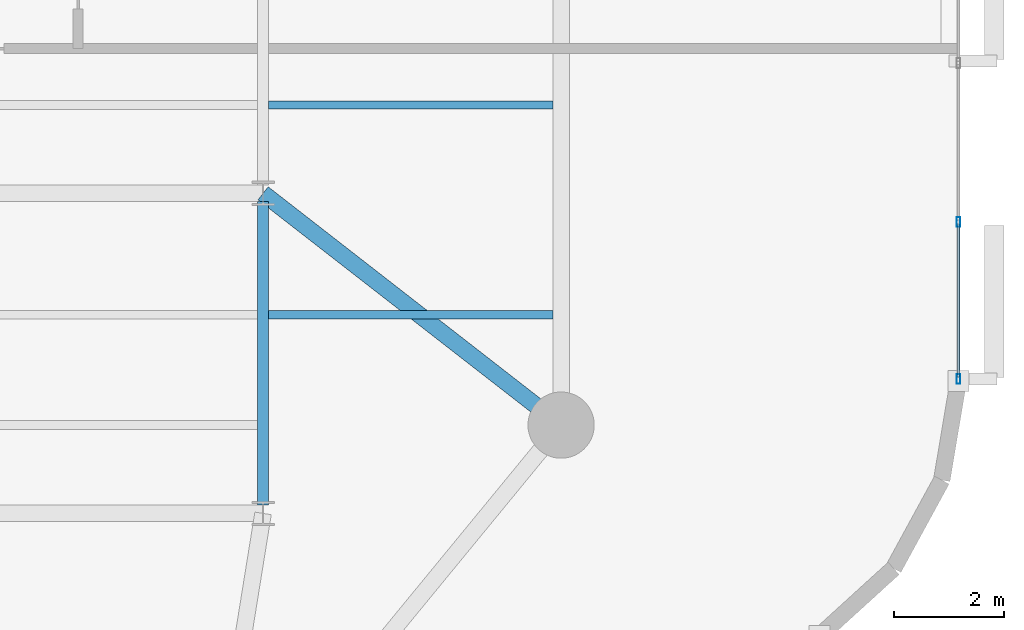
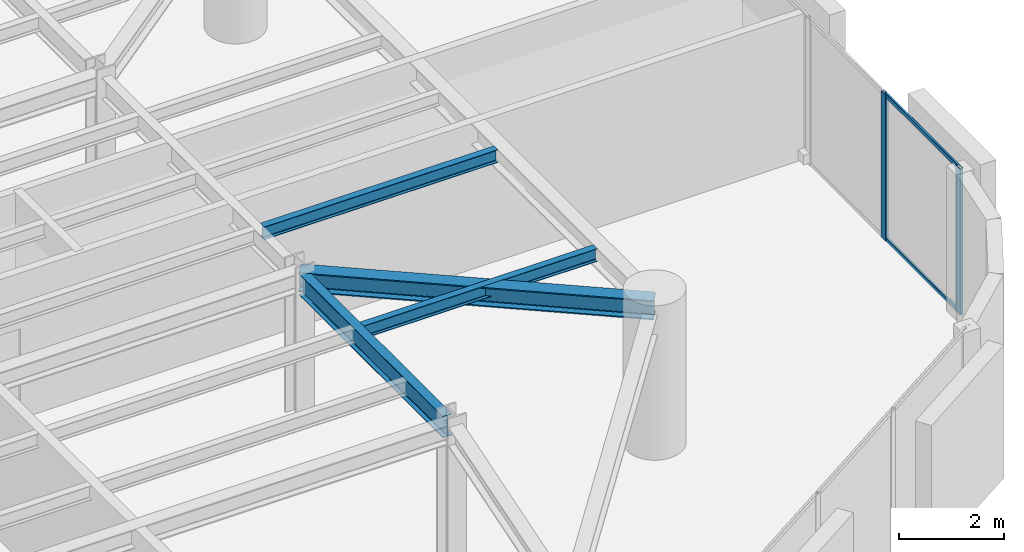
# One storey, part 3 of 15: 4 beams, 4 members, 1 element without a shape of its own.
"""IFC4 building model written with IfcOpenShell, lengths in metres."""

from ifc_helpers import new_model, si_unit, direction, frame, origin, origin_2d, place, context, subcontext, project, spatial, hollow_rectangle, i_section, extrude, material, layer, layer_set, material_profile, profile_set, type_object, element, aggregate, save


model = new_model("IFC4")

# Units and contexts
model_context = context("Model", 3, precision=1e-05, world=origin(), true_north=direction((0.0, 1.0)))
body_context = subcontext(model_context, "Body", "Model", "MODEL_VIEW")
ifc_project = project(units=[si_unit("LENGTHUNIT", "METRE"), si_unit("AREAUNIT", "SQUARE_METRE"), si_unit("VOLUMEUNIT", "CUBIC_METRE"), si_unit("PLANEANGLEUNIT", "RADIAN"), si_unit("MASSUNIT", "GRAM", prefix="KILO")], contexts=[model_context])

# Site, building, storey
site_placement = place(None, origin())
site = spatial("IfcSite", under=ifc_project, at=site_placement, CompositionType="ELEMENT")
building_placement = place(site_placement, origin())
building = spatial("IfcBuilding", under=site, at=building_placement, Name="An Khanh Terracotta Commons", CompositionType="ELEMENT")
storey_placement = place(building_placement, frame((0.0, 0.0, 179.800048828125)))
storey = spatial("IfcBuildingStorey", under=building, at=storey_placement, Name="L47", CompositionType="ELEMENT", Elevation=179.800048828125)

# Beams
ifc_material_1 = material(Name="Steel S355J2", Category="steel")
ifc_material_profile_1 = material_profile(ifc_material_1, i_section(OverallWidth=0.300048828125, OverallDepth=0.449951171875, WebThickness=0.013916015625, FlangeThickness=0.02587890625, FilletRadius=0.027099609375, at=origin_2d()), Name="HEB450")
ifc_profile_set_1 = profile_set([ifc_material_profile_1], Name="Steel S355J2")
beam_type_1 = type_object("IfcBeamType", Name="BM-HEB450", PredefinedType="BEAM", material=ifc_profile_set_1)
beam_1_placement = place(storey_placement, frame((55.800048828125, 16.0, 3.175048828125), z_axis=(-0.789363746927, 0.61392578952, 0.0), x_axis=(-0.61392578952, -0.789363746927, 0.0)))
element("IfcBeam", 1, at=beam_1_placement, inside=storey, type_object=beam_type_1, Name="L47 Mega-Column Tie Girder 3", PredefinedType="BEAM", context=body_context, shape_type="SweptSolid", body=[
    extrude(i_section(OverallWidth=0.300048828125, OverallDepth=0.449951171875, WebThickness=0.013916015625, FlangeThickness=0.02587890625, FilletRadius=0.027099609375, at=origin_2d()), origin(), (0.0, 0.0, 1.0), 6.841064453125),
])
ifc_material_profile_2 = material_profile(ifc_material_1, i_section(OverallWidth=0.14990234375, OverallDepth=0.300048828125, WebThickness=0.007080078125, FlangeThickness=0.0107421875, FilletRadius=0.014892578125, at=origin_2d()), Name="IPE300")
ifc_profile_set_2 = profile_set([ifc_material_profile_2], Name="Steel S355J2")
beam_type_2 = type_object("IfcBeamType", Name="BM-IPE300", PredefinedType="JOIST", material=ifc_profile_set_2)
for number, where, z_axis, x_axis, name in (
    (2, (50.5, 18.0, 3.25), (1.0, 0.0, 0.0), (0.0, 1.0, 0.0), "L47 Riverfront Composite Joist 2"),
    (3, (50.5, 21.800048828125, 3.25), (1.0, 0.0, 0.0), (0.0, 1.0, 0.0), "L47 Riverfront Composite Joist 3"),
):
    element("IfcBeam", number, at=place(storey_placement, frame(where, z_axis=z_axis, x_axis=x_axis)), inside=storey, type_object=beam_type_2, Name=name, PredefinedType="JOIST", context=body_context, shape_type="SweptSolid", body=[
        extrude(i_section(OverallWidth=0.14990234375, OverallDepth=0.300048828125, WebThickness=0.007080078125, FlangeThickness=0.0107421875, FilletRadius=0.014892578125, at=origin_2d()), origin(), (0.0, 0.0, 1.0), 5.14990234375),
    ])
ifc_material_profile_3 = material_profile(ifc_material_1, i_section(OverallWidth=0.199951171875, OverallDepth=0.5, WebThickness=0.01025390625, FlangeThickness=0.01611328125, FilletRadius=0.02099609375, at=origin_2d()), Name="IPE500")
ifc_profile_set_3 = profile_set([ifc_material_profile_3], Name="Steel S355J2")
beam_type_3 = type_object("IfcBeamType", Name="BM-IPE500", PredefinedType="BEAM", material=ifc_profile_set_3)
beam_2_placement = place(storey_placement, frame((50.39990234375, 14.550048828125, 3.14990234375), z_axis=(0.0, 1.0, 0.0), x_axis=(-1.0, 0.0, 0.0)))
element("IfcBeam", 4, at=beam_2_placement, inside=storey, type_object=beam_type_3, Name="L47 East Spine Girder 1", PredefinedType="BEAM", context=body_context, shape_type="SweptSolid", body=[
    extrude(i_section(OverallWidth=0.199951171875, OverallDepth=0.5, WebThickness=0.01025390625, FlangeThickness=0.01611328125, FilletRadius=0.02099609375, at=origin_2d()), origin(), (0.0, 0.0, 1.0), 5.5),
])

# Curtain wall, members
ifc_material_2 = material(Name="Anodised Aluminium 6063-T6", Category="aluminium")
ifc_layer = layer(ifc_material_2, 0.2099609375, Name="Anodised Aluminium 6063-T6")
ifc_layer_set = layer_set([ifc_layer], Name="Anodised Aluminium 6063-T6")
curtain_wall_type = type_object("IfcCurtainWallType", Name="CW-SYS-03", PredefinedType="USERDEFINED", material=ifc_layer_set)
curtain_wall_placement = place(storey_placement, origin())
curtain_wall = element("IfcCurtainWall", 5, at=curtain_wall_placement, inside=storey, type_object=curtain_wall_type, Name="L47 CW-03 Unitised Curtain Wall CW-L47-12", ObjectType="UNITISED CURTAIN WALL", PredefinedType="USERDEFINED")
ifc_material_profile_4 = material_profile(ifc_material_2, hollow_rectangle(XDim=0.070068359375, YDim=0.179931640625, WallThickness=0.00390625, InnerFilletRadius=0.00390625, OuterFilletRadius=0.008056640625, at=origin_2d()), Name="RHS180x70x4")
ifc_profile_set_4 = profile_set([ifc_material_profile_4], Name="Anodised Aluminium 6063-T6")
member_type_1 = type_object("IfcMemberType", Name="CWM-RHS180x70x4", PredefinedType="MULLION", material=ifc_profile_set_4)
member_1_placement = place(storey_placement, frame((63.0, 16.8349609375, 0.0), z_axis=(0.0, 0.0, 1.0), x_axis=(-1.0, 0.0, 0.0)))
member_1 = element("IfcMember", 6, at=member_1_placement, type_object=member_type_1, Name="CW-03 mullion 1", PredefinedType="MULLION", context=body_context, shape_type="SweptSolid", body=[
    extrude(hollow_rectangle(XDim=0.070068359375, YDim=0.179931640625, WallThickness=0.00390625, InnerFilletRadius=0.00390625, OuterFilletRadius=0.008056640625, at=origin_2d()), origin(), (0.0, 0.0, 1.0), 3.39990234375),
])
member_2_placement = place(storey_placement, frame((63.0, 19.679931640625, 0.0), z_axis=(0.0, 0.0, 1.0), x_axis=(-1.0, 0.0, 0.0)))
member_2 = element("IfcMember", 7, at=member_2_placement, type_object=member_type_1, Name="CW-03 mullion 2", PredefinedType="MULLION", context=body_context, shape_type="SweptSolid", body=[
    extrude(hollow_rectangle(XDim=0.070068359375, YDim=0.179931640625, WallThickness=0.00390625, InnerFilletRadius=0.00390625, OuterFilletRadius=0.008056640625, at=origin_2d()), origin(), (0.0, 0.0, 1.0), 3.39990234375),
])
ifc_material_profile_5 = material_profile(ifc_material_2, hollow_rectangle(XDim=0.050048828125, YDim=0.10009765625, WallThickness=0.003173828125, InnerFilletRadius=0.003173828125, OuterFilletRadius=0.00634765625, at=origin_2d()), Name="RHS100x50x3.2")
ifc_profile_set_5 = profile_set([ifc_material_profile_5], Name="Anodised Aluminium 6063-T6")
member_type_2 = type_object("IfcMemberType", Name="CWT-RHS100x50x3.2", PredefinedType="USERDEFINED", material=ifc_profile_set_5)
member_3_placement = place(storey_placement, frame((63.0, 16.8701171875, 0.02490234375), z_axis=(0.0, 1.0, 0.0), x_axis=(-1.0, 0.0, 0.0)))
member_3 = element("IfcMember", 8, at=member_3_placement, type_object=member_type_2, Name="CW-03 transom 1.1", ObjectType="TRANSOM", PredefinedType="USERDEFINED", context=body_context, shape_type="SweptSolid", body=[
    extrude(hollow_rectangle(XDim=0.050048828125, YDim=0.10009765625, WallThickness=0.003173828125, InnerFilletRadius=0.003173828125, OuterFilletRadius=0.00634765625, at=origin_2d()), origin(), (0.0, 0.0, 1.0), 2.77490234375),
])
member_4_placement = place(storey_placement, frame((63.0, 16.8701171875, 3.375), z_axis=(0.0, 1.0, 0.0), x_axis=(-1.0, 0.0, 0.0)))
member_4 = element("IfcMember", 9, at=member_4_placement, type_object=member_type_2, Name="CW-03 transom 1.2", ObjectType="TRANSOM", PredefinedType="USERDEFINED", context=body_context, shape_type="SweptSolid", body=[
    extrude(hollow_rectangle(XDim=0.050048828125, YDim=0.10009765625, WallThickness=0.003173828125, InnerFilletRadius=0.003173828125, OuterFilletRadius=0.00634765625, at=origin_2d()), origin(), (0.0, 0.0, 1.0), 2.77490234375),
])
aggregate(curtain_wall, [member_1, member_2, member_3, member_4])

save(model, "model.ifc")
